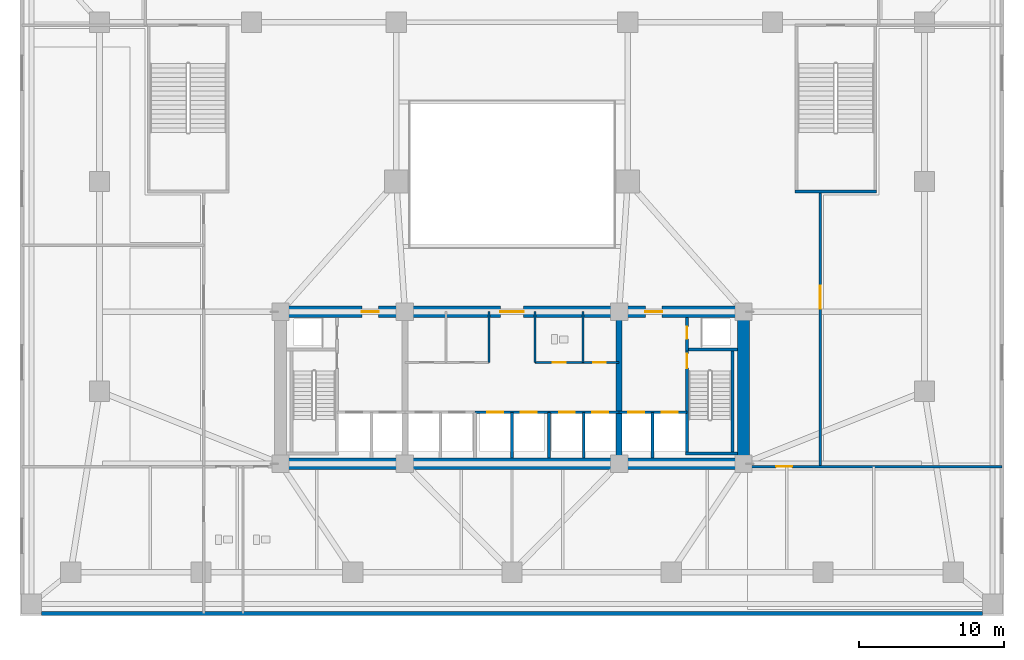
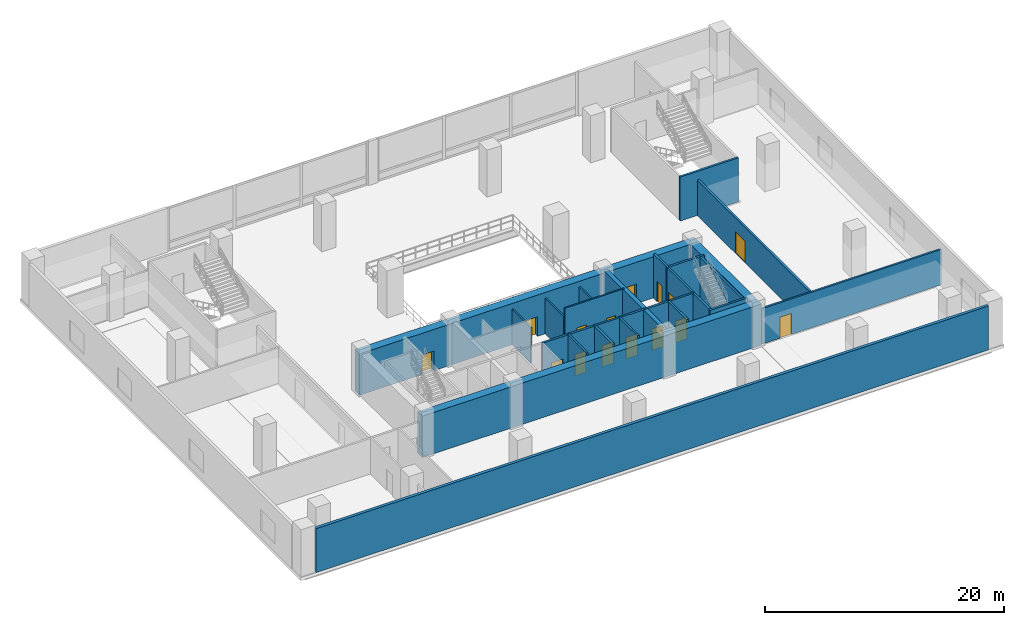
# One storey, part 8 of 15: 24 walls, 15 doors, 15 openings.
"""IFC4 building model written with IfcOpenShell, lengths in metres."""

from ifc_helpers import new_model, si_unit, direction, frame, frame_2d, origin, place, context, subcontext, project, spatial, rectangle, extrude, material, layer, layer_set, type_object, element, fill, save


model = new_model("IFC4")

# Units and contexts
model_context = context("Model", 3, precision=1e-05, world=origin(), true_north=direction((0.0, 1.0)))
body_context = subcontext(model_context, "Body", "Model", "MODEL_VIEW")
ifc_project = project(units=[si_unit("LENGTHUNIT", "METRE"), si_unit("AREAUNIT", "SQUARE_METRE"), si_unit("VOLUMEUNIT", "CUBIC_METRE"), si_unit("PLANEANGLEUNIT", "RADIAN"), si_unit("MASSUNIT", "GRAM", prefix="KILO")], contexts=[model_context])

# Site, building, storey
site_placement = place(None, origin())
site = spatial("IfcSite", under=ifc_project, at=site_placement, CompositionType="ELEMENT")
building_placement = place(site_placement, origin())
building = spatial("IfcBuilding", under=site, at=building_placement, Name="Solmavex Isthmus Hotel", CompositionType="ELEMENT")
storey_placement = place(building_placement, frame((0.0, 0.0, 11.39990234375)))
storey = spatial("IfcBuildingStorey", under=building, at=storey_placement, Name="L03", CompositionType="ELEMENT", Elevation=11.39990234375)

# Walls
ifc_material_1 = material(Name="Precast Concrete C40/50", Category="concrete")
ifc_layer_1 = layer(ifc_material_1, 0.280029296875)
ifc_layer_set_1 = layer_set([ifc_layer_1], Name="Precast Concrete C40/50")
wall_type_1 = type_object("IfcWallType", Name="EW-POD-280", PredefinedType="STANDARD", material=ifc_layer_set_1)
wall_1_placement = place(storey_placement, frame((-32.5, -23.360107421875, 0.0), z_axis=(0.0, 0.0, 1.0), x_axis=(1.0, 0.0, 0.0)))
element("IfcWall", 1, at=wall_1_placement, inside=storey, type_object=wall_type_1, Name="Podium Facade Wall South L03", PredefinedType="STANDARD", context=body_context, shape_type="SweptSolid", body=[
    extrude(rectangle(XDim=65.0, YDim=0.280029296875, at=frame_2d((32.5, 0.0))), origin(), (0.0, 0.0, 1.0), 4.5),
])
ifc_material_2 = material(Name="Gypsum plasterboard lining", Category="gypsum")
ifc_layer_2 = layer(ifc_material_2, 0.14990234375)
ifc_layer_set_2 = layer_set([ifc_layer_2], Name="Gypsum plasterboard lining")
wall_type_2 = type_object("IfcWallType", Name="IW-CORR-150", PredefinedType="PARTITIONING", material=ifc_layer_set_2)
wall_2_placement = place(storey_placement, frame((-1.60009765625, -6.0, 0.0), z_axis=(0.0, 0.0, 1.0), x_axis=(0.0, 1.0, 0.0)))
element("IfcWall", 2, at=wall_2_placement, inside=storey, type_object=wall_type_2, Name="Interior Partition Wall W-L03-BOH-WE", PredefinedType="PARTITIONING", context=body_context, shape_type="SweptSolid", body=[
    extrude(rectangle(XDim=3.5, YDim=0.14990234375, at=frame_2d((1.75, 0.0))), origin(), (0.0, 0.0, 1.0), 3.629638671875),
])

# Wall, openings, doors
wall_3_placement = place(storey_placement, frame((1.60009765625, -6.0, 0.0), z_axis=(0.0, 0.0, 1.0), x_axis=(1.0, 0.0, 0.0)))
wall_3 = element("IfcWall", 3, at=wall_3_placement, inside=storey, type_object=wall_type_2, Name="Interior Partition Wall W-L03-BOH-ES", PredefinedType="PARTITIONING", context=body_context, shape_type="SweptSolid", body=[
    extrude(rectangle(XDim=5.7998046875, YDim=0.14990234375, at=frame_2d((2.89990234375, 0.0))), origin(), (0.0, 0.0, 1.0), 4.5),
])
opening_1_placement = place(wall_3_placement, frame((1.199951171875, 0.0, 0.0)))
opening_1 = element("IfcOpeningElement", 4, at=opening_1_placement, cuts=wall_3, Name="Opening ID-C090", PredefinedType="OPENING", context=body_context, shape_type="SweptSolid", body=[
    extrude(rectangle(XDim=0.89990234375, YDim=2.10009765625, at=frame_2d((0.449951171875, 1.050048828125))), frame((0.0, 0.0849609375, 0.0), z_axis=(0.0, -1.0, 0.0), x_axis=(1.0, 0.0, 0.0)), (0.0, 0.0, 1.0), 0.169921875),
])
opening_2_placement = place(wall_3_placement, frame((4.02490234375, 0.0, 0.0)))
opening_2 = element("IfcOpeningElement", 5, at=opening_2_placement, cuts=wall_3, Name="Opening ID-R085", PredefinedType="OPENING", context=body_context, shape_type="SweptSolid", body=[
    extrude(rectangle(XDim=0.85009765625, YDim=2.050048828125, at=frame_2d((0.425048828125, 1.02490234375))), frame((0.0, 0.0849609375, 0.0), z_axis=(0.0, -1.0, 0.0), x_axis=(1.0, 0.0, 0.0)), (0.0, 0.0, 1.0), 0.169921875),
])
ifc_material_3 = material(Name="Steel ASTM A500 Grade C", Category="steel")
door_type_1 = type_object("IfcDoorType", Name="IDR-FD60-0850", OperationType="NOTDEFINED", PredefinedType="DOOR", material=ifc_material_3)
door_1_placement = place(opening_2_placement, frame((0.85009765625, 0.0, 0.0), z_axis=(0.0, 0.0, 1.0), x_axis=(-1.0, 0.0, 0.0)))
door_1 = element("IfcDoor", 6, at=door_1_placement, inside=storey, type_object=door_type_1, Name="IT Room Door L03", OperationType="SINGLE_SWING_RIGHT", OverallHeight=2.050048828125, OverallWidth=0.85009765625, PredefinedType="DOOR", context=body_context, shape_type="SweptSolid", body=[
    extrude(rectangle(XDim=0.85009765625, YDim=2.050048828125, at=frame_2d((0.425048828125, 1.02490234375))), frame((0.0, 0.02490234375, 0.0), z_axis=(0.0, -1.0, 0.0), x_axis=(1.0, 0.0, 0.0)), (0.0, 0.0, 1.0), 0.050048828125),
])
fill(opening_2, door_1)
ifc_material_4 = material(Name="Hardwood timber", Category="wood")
door_type_2 = type_object("IfcDoorType", Name="IDR-FD60-0900", OperationType="NOTDEFINED", PredefinedType="DOOR", material=ifc_material_4)
door_2_placement = place(opening_1_placement, frame((0.89990234375, 0.0, 0.0), z_axis=(0.0, 0.0, 1.0), x_axis=(-1.0, 0.0, 0.0)))
door_2 = element("IfcDoor", 7, at=door_2_placement, inside=storey, type_object=door_type_2, Name="Staff Restroom Door L03", OperationType="SINGLE_SWING_LEFT", OverallHeight=2.10009765625, OverallWidth=0.89990234375, PredefinedType="DOOR", context=body_context, shape_type="SweptSolid", body=[
    extrude(rectangle(XDim=0.89990234375, YDim=2.10009765625, at=frame_2d((0.449951171875, 1.050048828125))), frame((0.0, 0.02490234375, 0.0), z_axis=(0.0, -1.0, 0.0), x_axis=(1.0, 0.0, 0.0)), (0.0, 0.0, 1.0), 0.050048828125),
])
fill(opening_1, door_2)

# Walls
wall_4_placement = place(storey_placement, frame((1.60009765625, -6.0, 0.0), z_axis=(0.0, 0.0, 1.0), x_axis=(0.0, 1.0, 0.0)))
element("IfcWall", 8, at=wall_4_placement, inside=storey, type_object=wall_type_2, Name="Interior Partition Wall W-L03-BOH-EW", PredefinedType="PARTITIONING", context=body_context, shape_type="SweptSolid", body=[
    extrude(rectangle(XDim=3.5, YDim=0.14990234375, at=frame_2d((1.75, 0.0))), origin(), (0.0, 0.0, 1.0), 3.629638671875),
])
ifc_layer_3 = layer(ifc_material_2, 0.1201171875)
ifc_layer_set_3 = layer_set([ifc_layer_3], Name="Gypsum plasterboard lining")
wall_type_3 = type_object("IfcWallType", Name="IW-PART-120", PredefinedType="PARTITIONING", material=ifc_layer_set_3)
wall_5_placement = place(storey_placement, frame((4.89990234375, -6.0, 0.0), z_axis=(0.0, 0.0, 1.0), x_axis=(0.0, 1.0, 0.0)))
element("IfcWall", 9, at=wall_5_placement, inside=storey, type_object=wall_type_3, Name="Interior Partition Wall W-L03-BOH-EM2", PredefinedType="PARTITIONING", context=body_context, shape_type="SweptSolid", body=[
    extrude(rectangle(XDim=3.5, YDim=0.14990234375, at=frame_2d((1.75, 0.0))), origin(), (0.0, 0.0, 1.0), 3.629638671875),
])
ifc_material_5 = material(Name="Concrete C40/50", Category="concrete")
ifc_layer_4 = layer(ifc_material_5, 0.179931640625)
ifc_layer_set_4 = layer_set([ifc_layer_4], Name="Concrete C40/50")
wall_type_4 = type_object("IfcWallType", Name="IW-SHAFT-180", PredefinedType="PARTITIONING", material=ifc_layer_set_4)
for number, where, z_axis, x_axis, name in (
    (10, (0.0, -12.60009765625, 0.0), (0.0, 0.0, 1.0), (0.0, 1.0, 0.0), "Interior Partition Wall W-L03-SH-PLM-M"),
    (11, (4.949951171875, -12.60009765625, 0.0), (0.0, 0.0, 1.0), (0.0, 1.0, 0.0), "Interior Partition Wall W-L03-SH-PLH-M"),
):
    element("IfcWall", number, at=place(storey_placement, frame(where, z_axis=z_axis, x_axis=x_axis)), inside=storey, type_object=wall_type_4, Name=name, PredefinedType="PARTITIONING", context=body_context, shape_type="SweptSolid", body=[
        extrude(rectangle(XDim=3.150146484375, YDim=0.179931640625, at=frame_2d((1.5751953125, 0.0))), origin(), (0.0, 0.0, 1.0), 4.5),
    ])

# Wall, opening, door
wall_6_placement = place(storey_placement, frame((16.0, -13.199951171875, 0.0), z_axis=(0.0, 0.0, 1.0), x_axis=(1.0, 0.0, 0.0)))
wall_6 = element("IfcWall", 12, at=wall_6_placement, inside=storey, type_object=wall_type_4, Name="Interior Partition Wall W-L03-SOUTH-E", PredefinedType="PARTITIONING", context=body_context, shape_type="SweptSolid", body=[
    extrude(rectangle(XDim=17.860107421875, YDim=0.179931640625, at=frame_2d((8.93017578125, 0.0))), origin(), (0.0, 0.0, 1.0), 3.629638671875),
])
opening_3_placement = place(wall_6_placement, frame((2.25, 0.0, 0.0)))
opening_3 = element("IfcOpeningElement", 13, at=opening_3_placement, cuts=wall_6, Name="Opening ID-C110", PredefinedType="OPENING", context=body_context, shape_type="SweptSolid", body=[
    extrude(rectangle(XDim=1.10009765625, YDim=2.14990234375, at=frame_2d((0.550048828125, 1.074951171875))), frame((0.0, 0.099853515625, 0.0), z_axis=(0.0, -1.0, 0.0), x_axis=(1.0, 0.0, 0.0)), (0.0, 0.0, 1.0), 0.199951171875),
])
door_type_3 = type_object("IfcDoorType", Name="IDR-FD60-1100", OperationType="NOTDEFINED", PredefinedType="DOOR", material=ifc_material_4)
door_3_placement = place(opening_3_placement, frame((1.10009765625, 0.0, 0.0), z_axis=(0.0, 0.0, 1.0), x_axis=(-1.0, 0.0, 0.0)))
door_3 = element("IfcDoor", 14, at=door_3_placement, inside=storey, type_object=door_type_3, Name="AV Control Door L03", OperationType="SINGLE_SWING_LEFT", OverallHeight=2.14990234375, OverallWidth=1.10009765625, PredefinedType="DOOR", context=body_context, shape_type="SweptSolid", body=[
    extrude(rectangle(XDim=1.10009765625, YDim=2.14990234375, at=frame_2d((0.550048828125, 1.074951171875))), frame((0.0, 0.02490234375, 0.0), z_axis=(0.0, -1.0, 0.0), x_axis=(1.0, 0.0, 0.0)), (0.0, 0.0, 1.0), 0.050048828125),
])
fill(opening_3, door_3)

ifc_layer_5 = layer(ifc_material_5, 0.199951171875)
ifc_layer_set_5 = layer_set([ifc_layer_5], Name="Concrete C40/50")
wall_type_5 = type_object("IfcWallType", Name="IW-SHAFT-200", PredefinedType="PARTITIONING", material=ifc_layer_set_5)
wall_7_placement = place(storey_placement, frame((12.10009765625, -5.199951171875, 0.0), z_axis=(0.0, 0.0, 1.0), x_axis=(0.0, 1.0, 0.0)))
wall_7 = element("IfcWall", 15, at=wall_7_placement, inside=storey, type_object=wall_type_5, Name="Interior Partition Wall W-L03-RSE-W", PredefinedType="PARTITIONING", context=body_context, shape_type="SweptSolid", body=[
    extrude(rectangle(XDim=2.300048828125, YDim=0.199951171875, at=frame_2d((1.14990234375, 0.0))), origin(), (0.0, 0.0, 1.0), 4.5),
])
opening_4_placement = place(wall_7_placement, frame((0.824951171875, 0.0, 0.0)))
opening_4 = element("IfcOpeningElement", 16, at=opening_4_placement, cuts=wall_7, Name="Opening ID-R085", PredefinedType="OPENING", context=body_context, shape_type="SweptSolid", body=[
    extrude(rectangle(XDim=0.85009765625, YDim=2.050048828125, at=frame_2d((0.425048828125, 1.02490234375))), frame((0.0, 0.10986328125, 0.0), z_axis=(0.0, -1.0, 0.0), x_axis=(1.0, 0.0, 0.0)), (0.0, 0.0, 1.0), 0.219970703125),
])
door_4_placement = place(opening_4_placement, frame((0.85009765625, 0.0, 0.0), z_axis=(0.0, 0.0, 1.0), x_axis=(-1.0, 0.0, 0.0)))
door_4 = element("IfcDoor", 17, at=door_4_placement, inside=storey, type_object=door_type_1, Name="Mechanical Riser Door L03", OperationType="SINGLE_SWING_LEFT", OverallHeight=2.050048828125, OverallWidth=0.85009765625, PredefinedType="DOOR", context=body_context, shape_type="SweptSolid", body=[
    extrude(rectangle(XDim=0.85009765625, YDim=2.050048828125, at=frame_2d((0.425048828125, 1.02490234375))), frame((0.0, 0.02490234375, 0.0), z_axis=(0.0, -1.0, 0.0), x_axis=(1.0, 0.0, 0.0)), (0.0, 0.0, 1.0), 0.050048828125),
])
fill(opening_4, door_4)

# Wall, openings, doors
wall_8_placement = place(storey_placement, frame((7.39990234375, -9.449951171875, 0.0), z_axis=(0.0, 0.0, 1.0), x_axis=(1.0, 0.0, 0.0)))
wall_8 = element("IfcWall", 18, at=wall_8_placement, inside=storey, type_object=wall_type_5, Name="Interior Partition Wall W-L03-FFLE-S", PredefinedType="PARTITIONING", context=body_context, shape_type="SweptSolid", body=[
    extrude(rectangle(XDim=4.7001953125, YDim=0.199951171875, at=frame_2d((2.35009765625, 0.0))), origin(), (0.0, 0.0, 1.0), 4.5),
])
opening_5_placement = place(wall_8_placement, frame((2.949951171875, 0.0, 0.0)))
opening_5 = element("IfcOpeningElement", 19, at=opening_5_placement, cuts=wall_8, Name="Opening LD-FF", PredefinedType="OPENING", context=body_context, shape_type="SweptSolid", body=[
    extrude(rectangle(XDim=1.10009765625, YDim=2.199951171875, at=frame_2d((0.550048828125, 1.10009765625))), frame((0.0, 0.10986328125, 0.0), z_axis=(0.0, -1.0, 0.0), x_axis=(1.0, 0.0, 0.0)), (0.0, 0.0, 1.0), 0.219970703125),
])
opening_6_placement = place(wall_8_placement, frame((0.64990234375, 0.0, 0.0)))
opening_6 = element("IfcOpeningElement", 20, at=opening_6_placement, cuts=wall_8, Name="Opening LD-SV", PredefinedType="OPENING", context=body_context, shape_type="SweptSolid", body=[
    extrude(rectangle(XDim=1.10009765625, YDim=2.199951171875, at=frame_2d((0.550048828125, 1.10009765625))), frame((0.0, 0.10986328125, 0.0), z_axis=(0.0, -1.0, 0.0), x_axis=(1.0, 0.0, 0.0)), (0.0, 0.0, 1.0), 0.219970703125),
])
ifc_material_6 = material(Name="Stainless steel 316", Category="steel")
door_type_4 = type_object("IfcDoorType", Name="LDR-FF-1100", OperationType="NOTDEFINED", PredefinedType="DOOR", material=ifc_material_6)
door_5_placement = place(opening_5_placement, origin())
door_5 = element("IfcDoor", 21, at=door_5_placement, inside=storey, type_object=door_type_4, Name="Lift Landing Door FFL-2 L03", OperationType="SLIDING_TO_LEFT", OverallHeight=2.199951171875, OverallWidth=1.10009765625, PredefinedType="DOOR", context=body_context, shape_type="SweptSolid", body=[
    extrude(rectangle(XDim=1.10009765625, YDim=2.199951171875, at=frame_2d((0.550048828125, 1.10009765625))), frame((0.0, 0.02490234375, 0.0), z_axis=(0.0, -1.0, 0.0), x_axis=(1.0, 0.0, 0.0)), (0.0, 0.0, 1.0), 0.050048828125),
])
fill(opening_5, door_5)
door_type_5 = type_object("IfcDoorType", Name="LDR-SV-1100", OperationType="NOTDEFINED", PredefinedType="DOOR", material=ifc_material_6)
door_6_placement = place(opening_6_placement, origin())
door_6 = element("IfcDoor", 22, at=door_6_placement, inside=storey, type_object=door_type_5, Name="Lift Landing Door SVL-2 L03", OperationType="SLIDING_TO_RIGHT", OverallHeight=2.199951171875, OverallWidth=1.10009765625, PredefinedType="DOOR", context=body_context, shape_type="SweptSolid", body=[
    extrude(rectangle(XDim=1.10009765625, YDim=2.199951171875, at=frame_2d((0.550048828125, 1.10009765625))), frame((0.0, 0.02490234375, 0.0), z_axis=(0.0, -1.0, 0.0), x_axis=(1.0, 0.0, 0.0)), (0.0, 0.0, 1.0), 0.050048828125),
])
fill(opening_6, door_6)

# Wall
wall_9_placement = place(storey_placement, frame((9.699951171875, -12.60009765625, 0.0), z_axis=(0.0, 0.0, 1.0), x_axis=(0.0, 1.0, 0.0)))
element("IfcWall", 23, at=wall_9_placement, inside=storey, type_object=wall_type_5, Name="Interior Partition Wall W-L03-FFLE-M", PredefinedType="PARTITIONING", context=body_context, shape_type="SweptSolid", body=[
    extrude(rectangle(XDim=3.150146484375, YDim=0.199951171875, at=frame_2d((1.5751953125, 0.0))), origin(), (0.0, 0.0, 1.0), 4.5),
])

# Wall, openings, doors
wall_10_placement = place(storey_placement, frame((-2.550048828125, -9.449951171875, 0.0), z_axis=(0.0, 0.0, 1.0), x_axis=(1.0, 0.0, 0.0)))
wall_10 = element("IfcWall", 24, at=wall_10_placement, inside=storey, type_object=wall_type_5, Name="Interior Partition Wall W-L03-SH-PLM", PredefinedType="PARTITIONING", context=body_context, shape_type="SweptSolid", body=[
    extrude(rectangle(XDim=5.10009765625, YDim=0.199951171875, at=frame_2d((2.550048828125, 0.0))), origin(), (0.0, 0.0, 1.0), 4.5),
])
opening_7_placement = place(wall_10_placement, frame((0.85009765625, 0.0, 0.0)))
opening_7 = element("IfcOpeningElement", 25, at=opening_7_placement, cuts=wall_10, Name="Opening LD-PL", PredefinedType="OPENING", context=body_context, shape_type="SweptSolid", body=[
    extrude(rectangle(XDim=1.10009765625, YDim=2.199951171875, at=frame_2d((0.550048828125, 1.10009765625))), frame((0.0, 0.10986328125, 0.0), z_axis=(0.0, -1.0, 0.0), x_axis=(1.0, 0.0, 0.0)), (0.0, 0.0, 1.0), 0.219970703125),
])
opening_8_placement = place(wall_10_placement, frame((3.14990234375, 0.0, 0.0)))
opening_8 = element("IfcOpeningElement", 26, at=opening_8_placement, cuts=wall_10, Name="Opening LD-PL", PredefinedType="OPENING", context=body_context, shape_type="SweptSolid", body=[
    extrude(rectangle(XDim=1.10009765625, YDim=2.199951171875, at=frame_2d((0.550048828125, 1.10009765625))), frame((0.0, 0.10986328125, 0.0), z_axis=(0.0, -1.0, 0.0), x_axis=(1.0, 0.0, 0.0)), (0.0, 0.0, 1.0), 0.219970703125),
])
door_type_6 = type_object("IfcDoorType", Name="LDR-PL-1100", OperationType="NOTDEFINED", PredefinedType="DOOR", material=ifc_material_6)
door_7_placement = place(opening_7_placement, origin())
door_7 = element("IfcDoor", 27, at=door_7_placement, inside=storey, type_object=door_type_6, Name="Lift Landing Door PLM1 L03", OperationType="SLIDING_TO_RIGHT", OverallHeight=2.199951171875, OverallWidth=1.10009765625, PredefinedType="DOOR", context=body_context, shape_type="SweptSolid", body=[
    extrude(rectangle(XDim=1.10009765625, YDim=2.199951171875, at=frame_2d((0.550048828125, 1.10009765625))), frame((0.0, 0.02490234375, 0.0), z_axis=(0.0, -1.0, 0.0), x_axis=(1.0, 0.0, 0.0)), (0.0, 0.0, 1.0), 0.050048828125),
])
fill(opening_7, door_7)
door_8_placement = place(opening_8_placement, origin())
door_8 = element("IfcDoor", 28, at=door_8_placement, inside=storey, type_object=door_type_6, Name="Lift Landing Door PLM2 L03", OperationType="SLIDING_TO_RIGHT", OverallHeight=2.199951171875, OverallWidth=1.10009765625, PredefinedType="DOOR", context=body_context, shape_type="SweptSolid", body=[
    extrude(rectangle(XDim=1.10009765625, YDim=2.199951171875, at=frame_2d((0.550048828125, 1.10009765625))), frame((0.0, 0.02490234375, 0.0), z_axis=(0.0, -1.0, 0.0), x_axis=(1.0, 0.0, 0.0)), (0.0, 0.0, 1.0), 0.050048828125),
])
fill(opening_8, door_8)

# Wall
wall_11_placement = place(storey_placement, frame((2.550048828125, -12.60009765625, 0.0), z_axis=(0.0, 0.0, 1.0), x_axis=(0.0, 1.0, 0.0)))
element("IfcWall", 29, at=wall_11_placement, inside=storey, type_object=wall_type_5, Name="Interior Partition Wall W-L03-SH-PLM-E", PredefinedType="PARTITIONING", context=body_context, shape_type="SweptSolid", body=[
    extrude(rectangle(XDim=3.150146484375, YDim=0.199951171875, at=frame_2d((1.5751953125, 0.0))), origin(), (0.0, 0.0, 1.0), 4.5),
])

# Wall, openings, doors
wall_12_placement = place(storey_placement, frame((2.550048828125, -9.449951171875, 0.0), z_axis=(0.0, 0.0, 1.0), x_axis=(1.0, 0.0, 0.0)))
wall_12 = element("IfcWall", 30, at=wall_12_placement, inside=storey, type_object=wall_type_5, Name="Interior Partition Wall W-L03-SH-PLH", PredefinedType="PARTITIONING", context=body_context, shape_type="SweptSolid", body=[
    extrude(rectangle(XDim=4.849853515625, YDim=0.199951171875, at=frame_2d((2.4248046875, 0.0))), origin(), (0.0, 0.0, 1.0), 4.5),
])
opening_9_placement = place(wall_12_placement, frame((0.699951171875, 0.0, 0.0)))
opening_9 = element("IfcOpeningElement", 31, at=opening_9_placement, cuts=wall_12, Name="Opening LD-PL", PredefinedType="OPENING", context=body_context, shape_type="SweptSolid", body=[
    extrude(rectangle(XDim=1.10009765625, YDim=2.199951171875, at=frame_2d((0.550048828125, 1.10009765625))), frame((0.0, 0.10986328125, 0.0), z_axis=(0.0, -1.0, 0.0), x_axis=(1.0, 0.0, 0.0)), (0.0, 0.0, 1.0), 0.219970703125),
])
opening_10_placement = place(wall_12_placement, frame((3.0, 0.0, 0.0)))
opening_10 = element("IfcOpeningElement", 32, at=opening_10_placement, cuts=wall_12, Name="Opening LD-PL", PredefinedType="OPENING", context=body_context, shape_type="SweptSolid", body=[
    extrude(rectangle(XDim=1.10009765625, YDim=2.199951171875, at=frame_2d((0.550048828125, 1.10009765625))), frame((0.0, 0.10986328125, 0.0), z_axis=(0.0, -1.0, 0.0), x_axis=(1.0, 0.0, 0.0)), (0.0, 0.0, 1.0), 0.219970703125),
])
door_9_placement = place(opening_9_placement, origin())
door_9 = element("IfcDoor", 33, at=door_9_placement, inside=storey, type_object=door_type_6, Name="Lift Landing Door PLH1 L03", OperationType="SLIDING_TO_LEFT", OverallHeight=2.199951171875, OverallWidth=1.10009765625, PredefinedType="DOOR", context=body_context, shape_type="SweptSolid", body=[
    extrude(rectangle(XDim=1.10009765625, YDim=2.199951171875, at=frame_2d((0.550048828125, 1.10009765625))), frame((0.0, 0.02490234375, 0.0), z_axis=(0.0, -1.0, 0.0), x_axis=(1.0, 0.0, 0.0)), (0.0, 0.0, 1.0), 0.050048828125),
])
fill(opening_9, door_9)
door_10_placement = place(opening_10_placement, origin())
door_10 = element("IfcDoor", 34, at=door_10_placement, inside=storey, type_object=door_type_6, Name="Lift Landing Door PLH2 L03", OperationType="SLIDING_TO_LEFT", OverallHeight=2.199951171875, OverallWidth=1.10009765625, PredefinedType="DOOR", context=body_context, shape_type="SweptSolid", body=[
    extrude(rectangle(XDim=1.10009765625, YDim=2.199951171875, at=frame_2d((0.550048828125, 1.10009765625))), frame((0.0, 0.02490234375, 0.0), z_axis=(0.0, -1.0, 0.0), x_axis=(1.0, 0.0, 0.0)), (0.0, 0.0, 1.0), 0.050048828125),
])
fill(opening_10, door_10)

# Wall, opening, door
wall_13_placement = place(storey_placement, frame((21.300048828125, -13.199951171875, 0.0), z_axis=(0.0, 0.0, 1.0), x_axis=(0.0, 1.0, 0.0)))
wall_13 = element("IfcWall", 35, at=wall_13_placement, inside=storey, type_object=wall_type_5, Name="Interior Partition Wall W-L03-EAST-H", PredefinedType="PARTITIONING", context=body_context, shape_type="SweptSolid", body=[
    extrude(rectangle(XDim=18.889892578125, YDim=0.199951171875, at=frame_2d((9.44482421875, 0.0))), origin(), (0.0, 0.0, 1.0), 3.629638671875),
])
opening_11_placement = place(wall_13_placement, frame((10.89990234375, 0.0, 0.0)))
opening_11 = element("IfcOpeningElement", 36, at=opening_11_placement, cuts=wall_13, Name="Opening ID-C160", PredefinedType="OPENING", context=body_context, shape_type="SweptSolid", body=[
    extrude(rectangle(XDim=1.60009765625, YDim=2.199951171875, at=frame_2d((0.800048828125, 1.10009765625))), frame((0.0, 0.10986328125, 0.0), z_axis=(0.0, -1.0, 0.0), x_axis=(1.0, 0.0, 0.0)), (0.0, 0.0, 1.0), 0.219970703125),
])
door_type_7 = type_object("IfcDoorType", Name="IDR-FD60-1600", OperationType="NOTDEFINED", PredefinedType="DOOR", material=ifc_material_4)
door_11_placement = place(opening_11_placement, origin())
door_11 = element("IfcDoor", 37, at=door_11_placement, inside=storey, type_object=door_type_7, Name="East Hall Main Door L03", OperationType="DOUBLE_DOOR_SINGLE_SWING", OverallHeight=2.199951171875, OverallWidth=1.60009765625, PredefinedType="DOOR", context=body_context, shape_type="SweptSolid", body=[
    extrude(rectangle(XDim=1.60009765625, YDim=2.199951171875, at=frame_2d((0.800048828125, 1.10009765625))), frame((0.0, 0.02490234375, 0.0), z_axis=(0.0, -1.0, 0.0), x_axis=(1.0, 0.0, 0.0)), (0.0, 0.0, 1.0), 0.050048828125),
])
fill(opening_11, door_11)

# Walls
ifc_material_7 = material(Name="Concrete C70/85", Category="concrete")
ifc_layer_6 = layer(ifc_material_7, 0.39990234375)
ifc_layer_set_6 = layer_set([ifc_layer_6], Name="Concrete C70/85")
wall_type_6 = type_object("IfcWallType", Name="WALL-CW-400L", PredefinedType="SHEAR", material=ifc_layer_set_6)
wall_14_placement = place(storey_placement, frame((7.39990234375, -12.60009765625, 0.0), z_axis=(0.0, 0.0, 1.0), x_axis=(0.0, 1.0, 0.0)))
element("IfcWall", 38, at=wall_14_placement, inside=storey, type_object=wall_type_6, Name="Core Cross Shear Wall C2 L03", PredefinedType="SHEAR", context=body_context, shape_type="SweptSolid", body=[
    extrude(rectangle(XDim=9.7001953125, YDim=0.39990234375, at=frame_2d((4.85009765625, 0.0))), origin(), (0.0, 0.0, 1.0), 4.5),
])
ifc_layer_7 = layer(ifc_material_7, 0.800048828125)
ifc_layer_set_7 = layer_set([ifc_layer_7], Name="Concrete C70/85")
wall_type_7 = type_object("IfcWallType", Name="WALL-CW-800", PredefinedType="SHEAR", material=ifc_layer_set_7)
wall_15_placement = place(storey_placement, frame((-16.39990234375, -13.0, 0.0), z_axis=(0.0, 0.0, 1.0), x_axis=(1.0, 0.0, 0.0)))
element("IfcWall", 39, at=wall_15_placement, inside=storey, type_object=wall_type_7, Name="Core Shear Wall South L03", PredefinedType="SHEAR", context=body_context, shape_type="SweptSolid", body=[
    extrude(rectangle(XDim=32.7998046875, YDim=0.800048828125, at=frame_2d((16.39990234375, 0.0))), origin(), (0.0, 0.0, 1.0), 4.22021484375),
])

# Wall, openings, doors
wall_16_placement = place(storey_placement, frame((-16.39990234375, -2.5, 0.0), z_axis=(0.0, 0.0, 1.0), x_axis=(1.0, 0.0, 0.0)))
wall_16 = element("IfcWall", 40, at=wall_16_placement, inside=storey, type_object=wall_type_7, Name="Core Shear Wall North L03", PredefinedType="SHEAR", context=body_context, shape_type="SweptSolid", body=[
    extrude(rectangle(XDim=32.7998046875, YDim=0.800048828125, at=frame_2d((16.39990234375, 0.0))), origin(), (0.0, 0.0, 1.0), 4.22021484375),
])
opening_12_placement = place(wall_16_placement, frame((6.02490234375, 0.0, 0.0)))
opening_12 = element("IfcOpeningElement", 41, at=opening_12_placement, cuts=wall_16, Name="Opening ID-F915", PredefinedType="OPENING", context=body_context, shape_type="SweptSolid", body=[
    extrude(rectangle(XDim=1.14990234375, YDim=2.0, at=frame_2d((0.574951171875, 1.0))), frame((0.0, 0.409912109375, 0.0), z_axis=(0.0, -1.0, 0.0), x_axis=(1.0, 0.0, 0.0)), (0.0, 0.0, 1.0), 0.820068359375),
])
opening_13_placement = place(wall_16_placement, frame((15.60009765625, 0.0, 0.0)))
opening_13 = element("IfcOpeningElement", 42, at=opening_13_placement, cuts=wall_16, Name="Opening ID-F960", PredefinedType="OPENING", context=body_context, shape_type="SweptSolid", body=[
    extrude(rectangle(XDim=1.60009765625, YDim=2.0, at=frame_2d((0.800048828125, 1.0))), frame((0.0, 0.409912109375, 0.0), z_axis=(0.0, -1.0, 0.0), x_axis=(1.0, 0.0, 0.0)), (0.0, 0.0, 1.0), 0.820068359375),
])
opening_14_placement = place(wall_16_placement, frame((25.625, 0.0, 0.0)))
opening_14 = element("IfcOpeningElement", 43, at=opening_14_placement, cuts=wall_16, Name="Opening ID-F915", PredefinedType="OPENING", context=body_context, shape_type="SweptSolid", body=[
    extrude(rectangle(XDim=1.14990234375, YDim=2.0, at=frame_2d((0.574951171875, 1.0))), frame((0.0, 0.409912109375, 0.0), z_axis=(0.0, -1.0, 0.0), x_axis=(1.0, 0.0, 0.0)), (0.0, 0.0, 1.0), 0.820068359375),
])
door_type_8 = type_object("IfcDoorType", Name="IDR-FD90-1150C", OperationType="NOTDEFINED", PredefinedType="DOOR", material=ifc_material_3)
door_12_placement = place(opening_12_placement, origin())
door_12 = element("IfcDoor", 44, at=door_12_placement, inside=storey, type_object=door_type_8, Name="Firefighting Lobby West Exit Door L03", OperationType="SINGLE_SWING_LEFT", OverallHeight=2.0, OverallWidth=1.14990234375, PredefinedType="DOOR", context=body_context, shape_type="SweptSolid", body=[
    extrude(rectangle(XDim=1.14990234375, YDim=2.0, at=frame_2d((0.574951171875, 1.0))), frame((0.0, 0.02490234375, 0.0), z_axis=(0.0, -1.0, 0.0), x_axis=(1.0, 0.0, 0.0)), (0.0, 0.0, 1.0), 0.050048828125),
])
fill(opening_12, door_12)
door_13_placement = place(opening_14_placement, origin())
door_13 = element("IfcDoor", 45, at=door_13_placement, inside=storey, type_object=door_type_8, Name="Firefighting Lobby East Exit Door L03", OperationType="SINGLE_SWING_RIGHT", OverallHeight=2.0, OverallWidth=1.14990234375, PredefinedType="DOOR", context=body_context, shape_type="SweptSolid", body=[
    extrude(rectangle(XDim=1.14990234375, YDim=2.0, at=frame_2d((0.574951171875, 1.0))), frame((0.0, 0.02490234375, 0.0), z_axis=(0.0, -1.0, 0.0), x_axis=(1.0, 0.0, 0.0)), (0.0, 0.0, 1.0), 0.050048828125),
])
fill(opening_14, door_13)
door_type_9 = type_object("IfcDoorType", Name="IDR-FD90-1600C", OperationType="NOTDEFINED", PredefinedType="DOOR", material=ifc_material_3)
door_14_placement = place(opening_13_placement, origin())
door_14 = element("IfcDoor", 46, at=door_14_placement, inside=storey, type_object=door_type_9, Name="Central Lift Lobby Door L03", OperationType="DOUBLE_DOOR_SINGLE_SWING", OverallHeight=2.0, OverallWidth=1.60009765625, PredefinedType="DOOR", context=body_context, shape_type="SweptSolid", body=[
    extrude(rectangle(XDim=1.60009765625, YDim=2.0, at=frame_2d((0.800048828125, 1.0))), frame((0.0, 0.02490234375, 0.0), z_axis=(0.0, -1.0, 0.0), x_axis=(1.0, 0.0, 0.0)), (0.0, 0.0, 1.0), 0.050048828125),
])
fill(opening_13, door_14)

# Walls
wall_17_placement = place(storey_placement, frame((16.0, -12.60009765625, 0.0), z_axis=(0.0, 0.0, 1.0), x_axis=(0.0, 1.0, 0.0)))
element("IfcWall", 47, at=wall_17_placement, inside=storey, type_object=wall_type_7, Name="Core Shear Wall East L03", PredefinedType="SHEAR", context=body_context, shape_type="SweptSolid", body=[
    extrude(rectangle(XDim=9.7001953125, YDim=0.800048828125, at=frame_2d((4.85009765625, 0.0))), origin(), (0.0, 0.0, 1.0), 4.22021484375),
])
ifc_layer_8 = layer(ifc_material_5, 0.199951171875)
ifc_layer_set_8 = layer_set([ifc_layer_8], Name="Concrete C40/50")
wall_type_8 = type_object("IfcWallType", Name="WALL-SW-200", PredefinedType="SOLIDWALL", material=ifc_layer_set_8)
for number, where, z_axis, x_axis, name in (
    (48, (12.0, -12.300048828125, 0.0), (0.0, 0.0, 1.0), (1.0, 0.0, 0.0), "Stairwell Structural Wall SW-L03-ST2-S"),
    (49, (12.0, -5.10009765625, 0.0), (0.0, 0.0, 1.0), (1.0, 0.0, 0.0), "Stairwell Structural Wall SW-L03-ST2-N"),
):
    element("IfcWall", number, at=place(storey_placement, frame(where, z_axis=z_axis, x_axis=x_axis)), inside=storey, type_object=wall_type_8, Name=name, PredefinedType="SOLIDWALL", context=body_context, shape_type="SweptSolid", body=[
        extrude(rectangle(XDim=3.60009765625, YDim=0.199951171875, at=frame_2d((1.800048828125, 0.0))), origin(), (0.0, 0.0, 1.0), 4.5),
    ])

# Wall, opening, door
wall_18_placement = place(storey_placement, frame((12.10009765625, -12.199951171875, 0.0), z_axis=(0.0, 0.0, 1.0), x_axis=(0.0, 1.0, 0.0)))
wall_18 = element("IfcWall", 50, at=wall_18_placement, inside=storey, type_object=wall_type_8, Name="Stairwell Structural Wall SW-L03-ST2-W", PredefinedType="SOLIDWALL", context=body_context, shape_type="SweptSolid", body=[
    extrude(rectangle(XDim=7.0, YDim=0.199951171875, at=frame_2d((3.5, 0.0))), origin(), (0.0, 0.0, 1.0), 4.5),
])
opening_15_placement = place(wall_18_placement, frame((5.800048828125, 0.0, 0.0)))
opening_15 = element("IfcOpeningElement", 51, at=opening_15_placement, cuts=wall_18, Name="Opening ID-F100", PredefinedType="OPENING", context=body_context, shape_type="SweptSolid", body=[
    extrude(rectangle(XDim=1.0, YDim=2.10009765625, at=frame_2d((0.5, 1.050048828125))), frame((0.0, 0.10986328125, 0.0), z_axis=(0.0, -1.0, 0.0), x_axis=(1.0, 0.0, 0.0)), (0.0, 0.0, 1.0), 0.219970703125),
])
door_type_10 = type_object("IfcDoorType", Name="IDR-FD90-1000", OperationType="NOTDEFINED", PredefinedType="DOOR", material=ifc_material_3)
door_15_placement = place(opening_15_placement, origin())
door_15 = element("IfcDoor", 52, at=door_15_placement, inside=storey, type_object=door_type_10, Name="Stair ST-2 Fire Door L03", OperationType="SINGLE_SWING_RIGHT", OverallHeight=2.10009765625, OverallWidth=1.0, PredefinedType="DOOR", context=body_context, shape_type="SweptSolid", body=[
    extrude(rectangle(XDim=1.0, YDim=2.10009765625, at=frame_2d((0.5, 1.050048828125))), frame((0.0, 0.02490234375, 0.0), z_axis=(0.0, -1.0, 0.0), x_axis=(1.0, 0.0, 0.0)), (0.0, 0.0, 1.0), 0.050048828125),
])
fill(opening_15, door_15)

# Walls
wall_19_placement = place(storey_placement, frame((15.25, -12.199951171875, 0.0), z_axis=(0.0, 0.0, 1.0), x_axis=(0.0, 1.0, 0.0)))
element("IfcWall", 53, at=wall_19_placement, inside=storey, type_object=wall_type_8, Name="Stairwell Structural Wall SW-L03-ST2-E", PredefinedType="SOLIDWALL", context=body_context, shape_type="SweptSolid", body=[
    extrude(rectangle(XDim=7.0, YDim=0.199951171875, at=frame_2d((3.5, 0.0))), origin(), (0.0, 0.0, 1.0), 4.5),
])
wall_20_placement = place(storey_placement, frame((19.550048828125, 5.800048828125, 0.0), z_axis=(0.0, 0.0, 1.0), x_axis=(1.0, 0.0, 0.0)))
element("IfcWall", 54, at=wall_20_placement, inside=storey, type_object=wall_type_8, Name="Stairwell Structural Wall SW-L03-ST3-S", PredefinedType="SOLIDWALL", context=body_context, shape_type="SweptSolid", body=[
    extrude(rectangle(XDim=5.64990234375, YDim=0.199951171875, at=frame_2d((2.824951171875, 0.0))), origin(), (0.0, 0.0, 1.0), 4.5),
])

save(model, "model.ifc")
